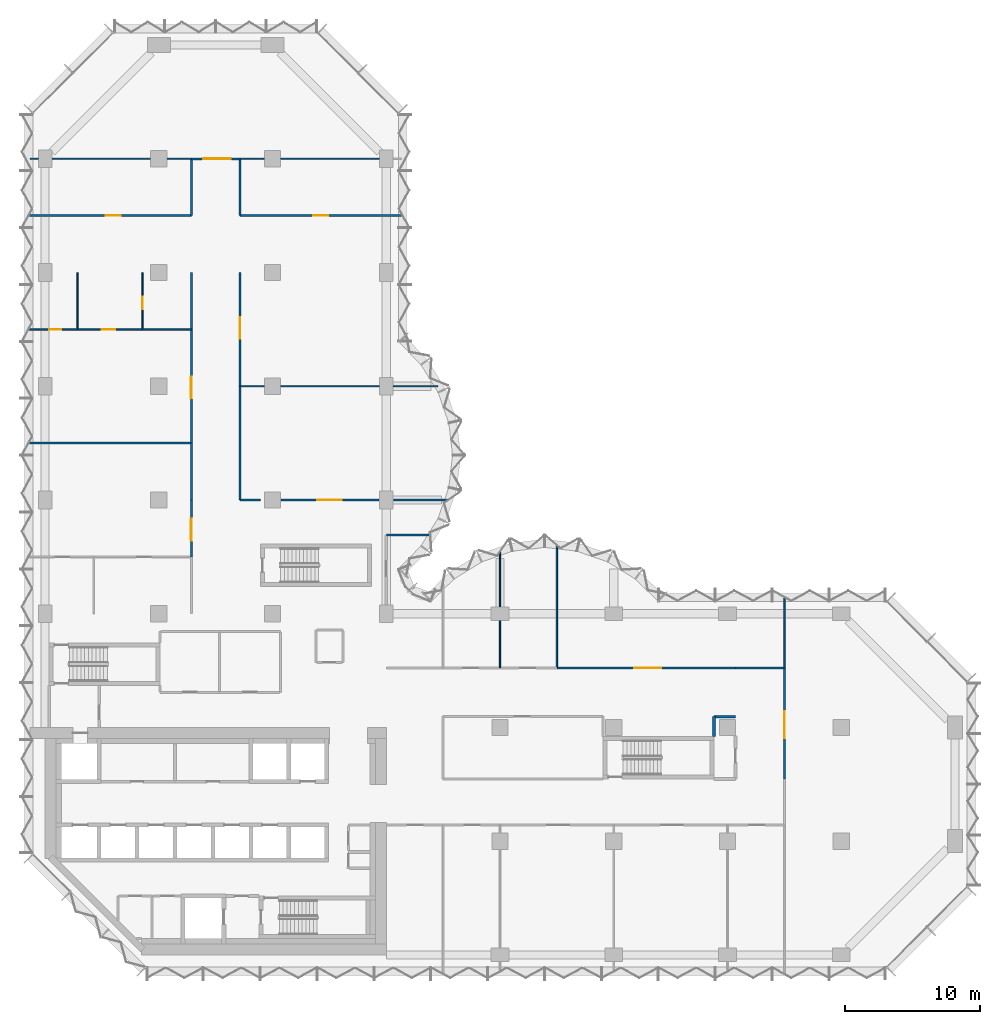
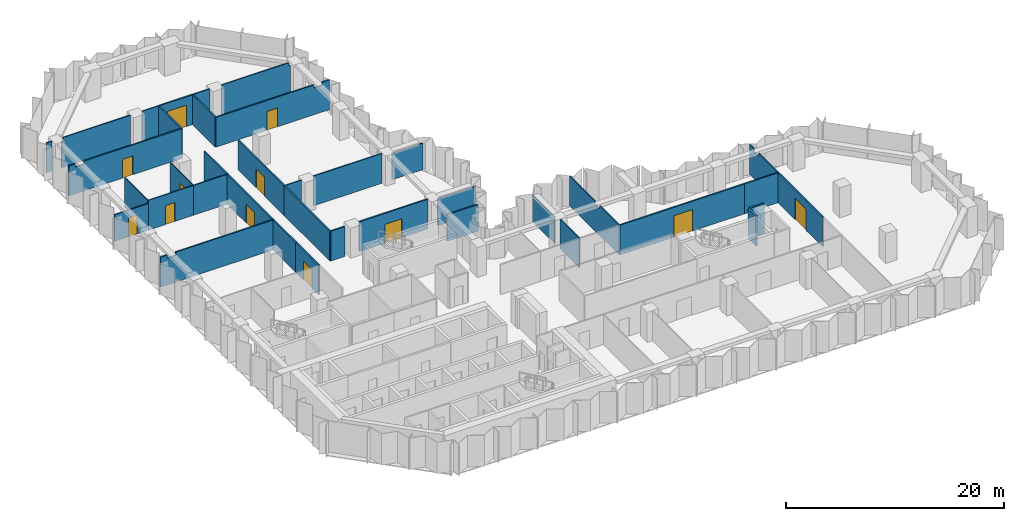
# One storey, part 10 of 13: 38 walls, 12 doors, 12 openings.
"""IFC4 building model written with IfcOpenShell, lengths in metres."""

from ifc_helpers import new_model, si_unit, direction, frame, frame_2d, origin, place, context, subcontext, project, spatial, polyline, rectangle, outline, extrude, material, layer, layer_set, type_object, element, fill, save


model = new_model("IFC4")

# Units and contexts
model_context = context("Model", 3, precision=1e-05, world=origin(), true_north=direction((0.0, 1.0)))
body_context = subcontext(model_context, "Body", "Model", "MODEL_VIEW")
ifc_project = project(units=[si_unit("LENGTHUNIT", "METRE"), si_unit("AREAUNIT", "SQUARE_METRE"), si_unit("VOLUMEUNIT", "CUBIC_METRE"), si_unit("PLANEANGLEUNIT", "RADIAN"), si_unit("MASSUNIT", "GRAM", prefix="KILO")], contexts=[model_context])

# Site, building, storey
site_placement = place(None, origin())
site = spatial("IfcSite", under=ifc_project, at=site_placement, CompositionType="ELEMENT")
building_placement = place(site_placement, origin())
building = spatial("IfcBuilding", under=site, at=building_placement, Name="Brevane Broadcast Tower", CompositionType="ELEMENT")
storey_placement = place(building_placement, frame((0.0, 0.0, 116.89990234375)))
storey = spatial("IfcBuildingStorey", under=building, at=storey_placement, Name="L28", CompositionType="ELEMENT", Elevation=116.89990234375)

# Walls
ifc_material_1 = material(Name="Gypsum board partition")
ifc_layer_1 = layer(ifc_material_1, 0.10009765625)
ifc_layer_set_1 = layer_set([ifc_layer_1], Name="PARTITION 100 STUD")
wall_type_1 = type_object("IfcWallType", Name="PARTITION 100 STUD", PredefinedType="PARTITIONING", material=ifc_layer_set_1)
wall_1_placement = place(storey_placement, frame((54.60009765625, 21.199951171875, 0.0), z_axis=(0.0, 0.0, 1.0), x_axis=(0.0, 1.0, 0.0)))
element("IfcWall", 1, at=wall_1_placement, inside=storey, type_object=wall_type_1, Name="Partition G08-016", PredefinedType="PARTITIONING", context=body_context, shape_type="SweptSolid", body=[
    extrude(outline(polyline([(0.0, 0.0), (5.174072265625, 0.0), (5.174072265625, 3.330078125), (5.10009765625, 3.330078125), (4.449951171875, 3.330078125), (4.447998046875, 2.97998046875), (3.552001953125, 2.97998046875), (3.550048828125, 3.330078125), (0.0, 3.330078125), (0.0, 0.0)])), frame((0.0, 0.050048828125, 0.0), z_axis=(0.0, -1.0, 0.0), x_axis=(1.0, 0.0, 0.0)), (0.0, 0.0, 1.0), 0.10009765625),
])
wall_2_placement = place(storey_placement, frame((33.60009765625, 29.761962890625, 0.0), z_axis=(0.0, 0.0, 1.0), x_axis=(0.0, -1.0, 0.0)))
element("IfcWall", 2, at=wall_2_placement, inside=storey, type_object=wall_type_1, Name="Partition G08-036", PredefinedType="PARTITIONING", context=body_context, shape_type="SweptSolid", body=[
    extrude(rectangle(XDim=4.0419921875, YDim=0.10009765625, at=frame_2d((2.02099609375, 0.0))), origin(), (0.0, 0.0, 1.0), 2.97998046875),
])
wall_3_placement = place(storey_placement, frame((33.60009765625, 24.679931640625, 0.0), z_axis=(0.0, 0.0, 1.0), x_axis=(0.0, -1.0, 0.0)))
element("IfcWall", 3, at=wall_3_placement, inside=storey, type_object=wall_type_1, Name="Partition G08-037", PredefinedType="PARTITIONING", context=body_context, shape_type="SweptSolid", body=[
    extrude(rectangle(XDim=3.47998046875, YDim=0.10009765625, at=frame_2d((1.739990234375, 0.0))), origin(), (0.0, 0.0, 1.0), 3.330078125),
])
wall_4_placement = place(storey_placement, frame((37.800048828125, 30.24267578125, 0.0), z_axis=(0.0, 0.0, 1.0), x_axis=(0.0, -1.0, 0.0)))
element("IfcWall", 4, at=wall_4_placement, inside=storey, type_object=wall_type_1, Name="Partition G08-038", PredefinedType="PARTITIONING", context=body_context, shape_type="SweptSolid", body=[
    extrude(outline(polyline([(0.0, 0.0), (9.042724609375, 0.0), (9.042724609375, 3.330078125), (5.49267578125, 3.330078125), (5.49072265625, 2.97998046875), (4.5947265625, 2.97998046875), (4.5927734375, 3.330078125), (0.0, 3.330078125), (0.0, 0.0)])), frame((0.0, 0.050048828125, 0.0), z_axis=(0.0, -1.0, 0.0), x_axis=(1.0, 0.0, 0.0)), (0.0, 0.0, 1.0), 0.10009765625),
])
wall_5_placement = place(storey_placement, frame((10.800048828125, 58.800048828125, 0.0), z_axis=(0.0, 0.0, 1.0), x_axis=(-1.0, 0.0, 0.0)))
element("IfcWall", 5, at=wall_5_placement, inside=storey, type_object=wall_type_1, Name="Partition G08-052", PredefinedType="PARTITIONING", context=body_context, shape_type="SweptSolid", body=[
    extrude(rectangle(XDim=1.780029296875, YDim=0.10009765625, at=frame_2d((0.89013671875, 0.0))), origin(), (0.0, 0.0, 1.0), 3.330078125),
])
wall_6_placement = place(storey_placement, frame((7.780029296875, 58.800048828125, 0.0), z_axis=(0.0, 0.0, 1.0), x_axis=(-1.0, 0.0, 0.0)))
element("IfcWall", 6, at=wall_6_placement, inside=storey, type_object=wall_type_1, Name="Partition G08-053", PredefinedType="PARTITIONING", context=body_context, shape_type="SweptSolid", body=[
    extrude(outline(polyline([(0.0, 0.0), (7.260009765625, 0.0), (7.260009765625, 2.97998046875), (7.1162109375, 2.97998046875), (7.1142578125, 3.330078125), (0.0, 3.330078125), (0.0, 0.0)])), frame((0.0, 0.050048828125, 0.0), z_axis=(0.0, -1.0, 0.0), x_axis=(1.0, 0.0, 0.0)), (0.0, 0.0, 1.0), 0.10009765625),
])
wall_7_placement = place(storey_placement, frame((-0.52001953125, 58.800048828125, 0.0), z_axis=(0.0, 0.0, 1.0), x_axis=(-1.0, 0.0, 0.0)))
element("IfcWall", 7, at=wall_7_placement, inside=storey, type_object=wall_type_1, Name="Partition G08-054", PredefinedType="PARTITIONING", context=body_context, shape_type="SweptSolid", body=[
    extrude(rectangle(XDim=0.580078125, YDim=0.10009765625, at=frame_2d((0.2900390625, 0.0))), origin(), (0.0, 0.0, 1.0), 3.330078125),
])
wall_8_placement = place(storey_placement, frame((24.679931640625, 58.800048828125, 0.0), z_axis=(0.0, 0.0, 1.0), x_axis=(-1.0, 0.0, 0.0)))
element("IfcWall", 8, at=wall_8_placement, inside=storey, type_object=wall_type_1, Name="Partition G08-056", PredefinedType="PARTITIONING", context=body_context, shape_type="SweptSolid", body=[
    extrude(outline(polyline([(0.0, 0.0), (7.260009765625, 0.0), (7.260009765625, 3.330078125), (0.145751953125, 3.330078125), (0.143798828125, 2.97998046875), (0.0, 2.97998046875), (0.0, 0.0)])), frame((0.0, 0.050048828125, 0.0), z_axis=(0.0, -1.0, 0.0), x_axis=(1.0, 0.0, 0.0)), (0.0, 0.0, 1.0), 0.10009765625),
])
wall_9_placement = place(storey_placement, frame((16.179931640625, 58.800048828125, 0.0), z_axis=(0.0, 0.0, 1.0), x_axis=(-1.0, 0.0, 0.0)))
element("IfcWall", 9, at=wall_9_placement, inside=storey, type_object=wall_type_1, Name="Partition G08-057", PredefinedType="PARTITIONING", context=body_context, shape_type="SweptSolid", body=[
    extrude(rectangle(XDim=1.780029296875, YDim=0.10009765625, at=frame_2d((0.89013671875, 0.0))), origin(), (0.0, 0.0, 1.0), 3.330078125),
])

# Wall, opening, door
wall_10_placement = place(storey_placement, frame((-1.174072265625, 46.199951171875, 0.0), z_axis=(0.0, 0.0, 1.0), x_axis=(1.0, 0.0, 0.0)))
wall_10 = element("IfcWall", 10, at=wall_10_placement, inside=storey, type_object=wall_type_1, Name="Partition G08-063", PredefinedType="PARTITIONING", context=body_context, shape_type="SweptSolid", body=[
    extrude(rectangle(XDim=3.573974609375, YDim=0.10009765625, at=frame_2d((1.787109375, 0.0))), origin(), (0.0, 0.0, 1.0), 2.97998046875),
])
opening_1_placement = place(wall_10_placement, frame((1.47412109375, 0.0, 0.0)))
opening_1 = element("IfcOpeningElement", 11, at=opening_1_placement, cuts=wall_10, Name="Opening D15-018", PredefinedType="OPENING", context=body_context, shape_type="SweptSolid", body=[
    extrude(rectangle(XDim=0.89990234375, YDim=2.10009765625, at=frame_2d((0.449951171875, 1.050048828125))), frame((0.0, 0.06005859375, 0.0), z_axis=(0.0, -1.0, 0.0), x_axis=(1.0, 0.0, 0.0)), (0.0, 0.0, 1.0), 0.1201171875),
])
ifc_material_2 = material(Name="Timber door leaf", Category="wood")
door_type_1 = type_object("IfcDoorType", Name="DOOR SINGLE 900 INTERNAL", OperationType="SINGLE_SWING_LEFT", PredefinedType="DOOR", material=ifc_material_2)
door_1_placement = place(opening_1_placement, origin())
door_1 = element("IfcDoor", 12, at=door_1_placement, inside=storey, type_object=door_type_1, Name="Door D15-018", OperationType="SINGLE_SWING_LEFT", OverallHeight=2.10009765625, OverallWidth=0.89990234375, PredefinedType="DOOR", context=body_context, shape_type="SweptSolid", body=[
    extrude(rectangle(XDim=0.89990234375, YDim=2.10009765625, at=frame_2d((0.449951171875, 1.050048828125))), frame((0.0, 0.02490234375, 0.0), z_axis=(0.0, -1.0, 0.0), x_axis=(1.0, 0.0, 0.0)), (0.0, 0.0, 1.0), 0.050048828125),
])
fill(opening_1, door_1)

wall_11_placement = place(storey_placement, frame((2.39990234375, 46.199951171875, 0.0), z_axis=(0.0, 0.0, 1.0), x_axis=(1.0, 0.0, 0.0)))
wall_11 = element("IfcWall", 13, at=wall_11_placement, inside=storey, type_object=wall_type_1, Name="Partition G08-064", PredefinedType="PARTITIONING", context=body_context, shape_type="SweptSolid", body=[
    extrude(rectangle(XDim=4.800048828125, YDim=0.10009765625, at=frame_2d((2.39990234375, 0.0))), origin(), (0.0, 0.0, 1.0), 3.330078125),
])
opening_2_placement = place(wall_11_placement, frame((1.800048828125, 0.0, 0.0)))
opening_2 = element("IfcOpeningElement", 14, at=opening_2_placement, cuts=wall_11, Name="Opening D15-019", PredefinedType="OPENING", context=body_context, shape_type="SweptSolid", body=[
    extrude(rectangle(XDim=1.0, YDim=2.10009765625, at=frame_2d((0.5, 1.050048828125))), frame((0.0, 0.06005859375, 0.0), z_axis=(0.0, -1.0, 0.0), x_axis=(1.0, 0.0, 0.0)), (0.0, 0.0, 1.0), 0.1201171875),
])
door_type_2 = type_object("IfcDoorType", Name="DOOR SINGLE 1000 INTERNAL", OperationType="SINGLE_SWING_LEFT", PredefinedType="DOOR", material=ifc_material_2)
door_2_placement = place(opening_2_placement, origin())
door_2 = element("IfcDoor", 15, at=door_2_placement, inside=storey, type_object=door_type_2, Name="Door D15-019", OperationType="SINGLE_SWING_LEFT", OverallHeight=2.10009765625, OverallWidth=1.0, PredefinedType="DOOR", context=body_context, shape_type="SweptSolid", body=[
    extrude(rectangle(XDim=1.0, YDim=2.10009765625, at=frame_2d((0.5, 1.050048828125))), frame((0.0, 0.02490234375, 0.0), z_axis=(0.0, -1.0, 0.0), x_axis=(1.0, 0.0, 0.0)), (0.0, 0.0, 1.0), 0.050048828125),
])
fill(opening_2, door_2)

# Walls
wall_12_placement = place(storey_placement, frame((7.199951171875, 46.199951171875, 0.0), z_axis=(0.0, 0.0, 1.0), x_axis=(1.0, 0.0, 0.0)))
element("IfcWall", 16, at=wall_12_placement, inside=storey, type_object=wall_type_1, Name="Partition G08-065", PredefinedType="PARTITIONING", context=body_context, shape_type="SweptSolid", body=[
    extrude(rectangle(XDim=3.60009765625, YDim=0.10009765625, at=frame_2d((1.800048828125, 0.0))), origin(), (0.0, 0.0, 1.0), 3.330078125),
])
wall_13_placement = place(storey_placement, frame((2.39990234375, 50.39990234375, 0.0), z_axis=(0.0, 0.0, 1.0), x_axis=(0.0, -1.0, 0.0)))
element("IfcWall", 17, at=wall_13_placement, inside=storey, type_object=wall_type_1, Name="Partition G08-066", PredefinedType="PARTITIONING", context=body_context, shape_type="SweptSolid", body=[
    extrude(rectangle(XDim=4.199951171875, YDim=0.10009765625, at=frame_2d((2.10009765625, 0.0))), origin(), (0.0, 0.0, 1.0), 3.330078125),
])

# Wall, opening, door
wall_14_placement = place(storey_placement, frame((7.199951171875, 50.39990234375, 0.0), z_axis=(0.0, 0.0, 1.0), x_axis=(0.0, -1.0, 0.0)))
wall_14 = element("IfcWall", 18, at=wall_14_placement, inside=storey, type_object=wall_type_1, Name="Partition G08-067", PredefinedType="PARTITIONING", context=body_context, shape_type="SweptSolid", body=[
    extrude(rectangle(XDim=4.199951171875, YDim=0.10009765625, at=frame_2d((2.10009765625, 0.0))), origin(), (0.0, 0.0, 1.0), 3.330078125),
])
opening_3_placement = place(wall_14_placement, frame((1.800048828125, 0.0, 0.0)))
opening_3 = element("IfcOpeningElement", 19, at=opening_3_placement, cuts=wall_14, Name="Opening D15-020", PredefinedType="OPENING", context=body_context, shape_type="SweptSolid", body=[
    extrude(rectangle(XDim=0.89990234375, YDim=2.10009765625, at=frame_2d((0.449951171875, 1.050048828125))), frame((0.0, 0.06005859375, 0.0), z_axis=(0.0, -1.0, 0.0), x_axis=(1.0, 0.0, 0.0)), (0.0, 0.0, 1.0), 0.1201171875),
])
door_3_placement = place(opening_3_placement, origin())
door_3 = element("IfcDoor", 20, at=door_3_placement, inside=storey, type_object=door_type_1, Name="Door D15-020", OperationType="SINGLE_SWING_LEFT", OverallHeight=2.10009765625, OverallWidth=0.89990234375, PredefinedType="DOOR", context=body_context, shape_type="SweptSolid", body=[
    extrude(rectangle(XDim=0.89990234375, YDim=2.10009765625, at=frame_2d((0.449951171875, 1.050048828125))), frame((0.0, 0.02490234375, 0.0), z_axis=(0.0, -1.0, 0.0), x_axis=(1.0, 0.0, 0.0)), (0.0, 0.0, 1.0), 0.050048828125),
])
fill(opening_3, door_3)

# Walls
wall_15_placement = place(storey_placement, frame((14.39990234375, 42.0, 0.0), z_axis=(0.0, 0.0, 1.0), x_axis=(1.0, 0.0, 0.0)))
element("IfcWall", 21, at=wall_15_placement, inside=storey, type_object=wall_type_1, Name="Partition G08-069", PredefinedType="PARTITIONING", context=body_context, shape_type="SweptSolid", body=[
    extrude(rectangle(XDim=1.780029296875, YDim=0.10009765625, at=frame_2d((0.89013671875, 0.0))), origin(), (0.0, 0.0, 1.0), 3.330078125),
])
wall_16_placement = place(storey_placement, frame((17.419921875, 42.0, 0.0), z_axis=(0.0, 0.0, 1.0), x_axis=(1.0, 0.0, 0.0)))
element("IfcWall", 22, at=wall_16_placement, inside=storey, type_object=wall_type_1, Name="Partition G08-070", PredefinedType="PARTITIONING", context=body_context, shape_type="SweptSolid", body=[
    extrude(rectangle(XDim=7.260009765625, YDim=0.10009765625, at=frame_2d((3.6298828125, 0.0))), origin(), (0.0, 0.0, 1.0), 3.330078125),
])
wall_17_placement = place(storey_placement, frame((25.719970703125, 42.0, 0.0), z_axis=(0.0, 0.0, 1.0), x_axis=(1.0, 0.0, 0.0)))
element("IfcWall", 23, at=wall_17_placement, inside=storey, type_object=wall_type_1, Name="Partition G08-071", PredefinedType="PARTITIONING", context=body_context, shape_type="SweptSolid", body=[
    extrude(rectangle(XDim=3.29150390625, YDim=0.10009765625, at=frame_2d((1.645751953125, 0.0))), origin(), (0.0, 0.0, 1.0), 2.97998046875),
])
ifc_layer_2 = layer(ifc_material_1, 0.14990234375)
ifc_layer_set_2 = layer_set([ifc_layer_2], Name="PARTITION 150 EI 60")
wall_type_2 = type_object("IfcWallType", Name="PARTITION 150 EI 60", PredefinedType="PARTITIONING", material=ifc_layer_set_2)
wall_18_placement = place(storey_placement, frame((25.199951171875, 31.0, 0.0), z_axis=(0.0, 0.0, 1.0), x_axis=(1.0, 0.0, 0.0)))
element("IfcWall", 24, at=wall_18_placement, inside=storey, type_object=wall_type_2, Name="Partition G08-006", PredefinedType="PARTITIONING", context=body_context, shape_type="SweptSolid", body=[
    extrude(rectangle(XDim=3.32421875, YDim=0.14990234375, at=frame_2d((1.662109375, 0.0))), origin(), (0.0, 0.0, 1.0), 2.97998046875),
])

# Wall, opening, door
wall_19_placement = place(storey_placement, frame((54.60009765625, 21.199951171875, 0.0), z_axis=(0.0, 0.0, 1.0), x_axis=(0.0, -1.0, 0.0)))
wall_19 = element("IfcWall", 25, at=wall_19_placement, inside=storey, type_object=wall_type_2, Name="Partition G08-014", PredefinedType="PARTITIONING", context=body_context, shape_type="SweptSolid", body=[
    extrude(rectangle(XDim=8.199951171875, YDim=0.14990234375, at=frame_2d((4.10009765625, 0.0))), origin(), (0.0, 0.0, 1.0), 3.330078125),
])
opening_4_placement = place(wall_19_placement, frame((3.199951171875, 0.0, 0.0)))
opening_4 = element("IfcOpeningElement", 26, at=opening_4_placement, cuts=wall_19, Name="Opening D15-002", PredefinedType="OPENING", context=body_context, shape_type="SweptSolid", body=[
    extrude(rectangle(XDim=2.0, YDim=2.39990234375, at=frame_2d((1.0, 1.199951171875))), frame((0.0, 0.0849609375, 0.0), z_axis=(0.0, -1.0, 0.0), x_axis=(1.0, 0.0, 0.0)), (0.0, 0.0, 1.0), 0.169921875),
])
ifc_material_3 = material(Name="Fire-rated timber door leaf", Category="wood")
door_type_3 = type_object("IfcDoorType", Name="DOOR DOUBLE 2000 FD30S", OperationType="DOUBLE_DOOR_SINGLE_SWING", PredefinedType="DOOR", material=ifc_material_3)
door_4_placement = place(opening_4_placement, origin())
door_4 = element("IfcDoor", 27, at=door_4_placement, inside=storey, type_object=door_type_3, Name="Door D15-002", OperationType="DOUBLE_DOOR_SINGLE_SWING", OverallHeight=2.39990234375, OverallWidth=2.0, PredefinedType="DOOR", context=body_context, shape_type="SweptSolid", body=[
    extrude(rectangle(XDim=2.0, YDim=2.39990234375, at=frame_2d((1.0, 1.199951171875))), frame((0.0, 0.02490234375, 0.0), z_axis=(0.0, -1.0, 0.0), x_axis=(1.0, 0.0, 0.0)), (0.0, 0.0, 1.0), 0.050048828125),
])
fill(opening_4, door_4)

wall_20_placement = place(storey_placement, frame((37.800048828125, 21.199951171875, 0.0), z_axis=(0.0, 0.0, 1.0), x_axis=(1.0, 0.0, 0.0)))
wall_20 = element("IfcWall", 28, at=wall_20_placement, inside=storey, type_object=wall_type_2, Name="Partition G08-023", PredefinedType="PARTITIONING", context=body_context, shape_type="SweptSolid", body=[
    extrude(rectangle(XDim=13.199951171875, YDim=0.14990234375, at=frame_2d((6.60009765625, 0.0))), origin(), (0.0, 0.0, 1.0), 3.330078125),
])
opening_5_placement = place(wall_20_placement, frame((5.699951171875, 0.0, 0.0)))
opening_5 = element("IfcOpeningElement", 29, at=opening_5_placement, cuts=wall_20, Name="Opening D15-012", PredefinedType="OPENING", context=body_context, shape_type="SweptSolid", body=[
    extrude(rectangle(XDim=2.0, YDim=2.39990234375, at=frame_2d((1.0, 1.199951171875))), frame((0.0, 0.0849609375, 0.0), z_axis=(0.0, -1.0, 0.0), x_axis=(1.0, 0.0, 0.0)), (0.0, 0.0, 1.0), 0.169921875),
])
door_5_placement = place(opening_5_placement, origin())
door_5 = element("IfcDoor", 30, at=door_5_placement, inside=storey, type_object=door_type_3, Name="Door D15-012", OperationType="DOUBLE_DOOR_SINGLE_SWING", OverallHeight=2.39990234375, OverallWidth=2.0, PredefinedType="DOOR", context=body_context, shape_type="SweptSolid", body=[
    extrude(rectangle(XDim=2.0, YDim=2.39990234375, at=frame_2d((1.0, 1.199951171875))), frame((0.0, 0.02490234375, 0.0), z_axis=(0.0, -1.0, 0.0), x_axis=(1.0, 0.0, 0.0)), (0.0, 0.0, 1.0), 0.050048828125),
])
fill(opening_5, door_5)

# Wall
wall_21_placement = place(storey_placement, frame((51.0, 21.199951171875, 0.0), z_axis=(0.0, 0.0, 1.0), x_axis=(1.0, 0.0, 0.0)))
element("IfcWall", 31, at=wall_21_placement, inside=storey, type_object=wall_type_2, Name="Partition G08-025", PredefinedType="PARTITIONING", context=body_context, shape_type="SweptSolid", body=[
    extrude(rectangle(XDim=3.60009765625, YDim=0.14990234375, at=frame_2d((1.800048828125, 0.0))), origin(), (0.0, 0.0, 1.0), 3.330078125),
])

# Wall, opening, door
wall_22_placement = place(storey_placement, frame((10.800048828125, 29.39990234375, 0.0), z_axis=(0.0, 0.0, 1.0), x_axis=(0.0, 1.0, 0.0)))
wall_22 = element("IfcWall", 32, at=wall_22_placement, inside=storey, type_object=wall_type_2, Name="Partition G08-039", PredefinedType="PARTITIONING", context=body_context, shape_type="SweptSolid", body=[
    extrude(rectangle(XDim=4.2001953125, YDim=0.14990234375, at=frame_2d((2.10009765625, 0.0))), origin(), (0.0, 0.0, 1.0), 3.330078125),
])
opening_6_placement = place(wall_22_placement, frame((1.199951171875, 0.0, 0.0)))
opening_6 = element("IfcOpeningElement", 33, at=opening_6_placement, cuts=wall_22, Name="Opening D15-014", PredefinedType="OPENING", context=body_context, shape_type="SweptSolid", body=[
    extrude(rectangle(XDim=1.60009765625, YDim=2.10009765625, at=frame_2d((0.800048828125, 1.050048828125))), frame((0.0, 0.0849609375, 0.0), z_axis=(0.0, -1.0, 0.0), x_axis=(1.0, 0.0, 0.0)), (0.0, 0.0, 1.0), 0.169921875),
])
door_type_4 = type_object("IfcDoorType", Name="DOOR DOUBLE 1600 FD30S", OperationType="DOUBLE_DOOR_SINGLE_SWING", PredefinedType="DOOR", material=ifc_material_3)
door_6_placement = place(opening_6_placement, origin())
door_6 = element("IfcDoor", 34, at=door_6_placement, inside=storey, type_object=door_type_4, Name="Door D15-014", OperationType="DOUBLE_DOOR_SINGLE_SWING", OverallHeight=2.10009765625, OverallWidth=1.60009765625, PredefinedType="DOOR", context=body_context, shape_type="SweptSolid", body=[
    extrude(rectangle(XDim=1.60009765625, YDim=2.10009765625, at=frame_2d((0.800048828125, 1.050048828125))), frame((0.0, 0.02490234375, 0.0), z_axis=(0.0, -1.0, 0.0), x_axis=(1.0, 0.0, 0.0)), (0.0, 0.0, 1.0), 0.050048828125),
])
fill(opening_6, door_6)

# Wall
wall_23_placement = place(storey_placement, frame((14.39990234375, 33.60009765625, 0.0), z_axis=(0.0, 0.0, 1.0), x_axis=(1.0, 0.0, 0.0)))
element("IfcWall", 35, at=wall_23_placement, inside=storey, type_object=wall_type_2, Name="Partition G08-041", PredefinedType="PARTITIONING", context=body_context, shape_type="SweptSolid", body=[
    extrude(rectangle(XDim=1.5, YDim=0.14990234375, at=frame_2d((0.75, 0.0))), origin(), (0.0, 0.0, 1.0), 3.330078125),
])

# Wall, opening, door
wall_24_placement = place(storey_placement, frame((17.419921875, 33.60009765625, 0.0), z_axis=(0.0, 0.0, 1.0), x_axis=(1.0, 0.0, 0.0)))
wall_24 = element("IfcWall", 36, at=wall_24_placement, inside=storey, type_object=wall_type_2, Name="Partition G08-042", PredefinedType="PARTITIONING", context=body_context, shape_type="SweptSolid", body=[
    extrude(rectangle(XDim=7.260009765625, YDim=0.14990234375, at=frame_2d((3.6298828125, 0.0))), origin(), (0.0, 0.0, 1.0), 3.330078125),
])
opening_7_placement = place(wall_24_placement, frame((2.699951171875, 0.0, 0.0)))
opening_7 = element("IfcOpeningElement", 37, at=opening_7_placement, cuts=wall_24, Name="Opening D15-022", PredefinedType="OPENING", context=body_context, shape_type="SweptSolid", body=[
    extrude(rectangle(XDim=1.800048828125, YDim=2.10009765625, at=frame_2d((0.89990234375, 1.050048828125))), frame((0.0, 0.0849609375, 0.0), z_axis=(0.0, -1.0, 0.0), x_axis=(1.0, 0.0, 0.0)), (0.0, 0.0, 1.0), 0.169921875),
])
door_type_5 = type_object("IfcDoorType", Name="DOOR DOUBLE 1800 FD30S", OperationType="DOUBLE_DOOR_SINGLE_SWING", PredefinedType="DOOR", material=ifc_material_3)
door_7_placement = place(opening_7_placement, origin())
door_7 = element("IfcDoor", 38, at=door_7_placement, inside=storey, type_object=door_type_5, Name="Door D15-022", OperationType="DOUBLE_DOOR_SINGLE_SWING", OverallHeight=2.10009765625, OverallWidth=1.800048828125, PredefinedType="DOOR", context=body_context, shape_type="SweptSolid", body=[
    extrude(rectangle(XDim=1.800048828125, YDim=2.10009765625, at=frame_2d((0.89990234375, 1.050048828125))), frame((0.0, 0.02490234375, 0.0), z_axis=(0.0, -1.0, 0.0), x_axis=(1.0, 0.0, 0.0)), (0.0, 0.0, 1.0), 0.050048828125),
])
fill(opening_7, door_7)

# Wall
wall_25_placement = place(storey_placement, frame((25.719970703125, 33.60009765625, 0.0), z_axis=(0.0, 0.0, 1.0), x_axis=(1.0, 0.0, 0.0)))
element("IfcWall", 39, at=wall_25_placement, inside=storey, type_object=wall_type_2, Name="Partition G08-043", PredefinedType="PARTITIONING", context=body_context, shape_type="SweptSolid", body=[
    extrude(rectangle(XDim=4.0419921875, YDim=0.14990234375, at=frame_2d((2.02099609375, 0.0))), origin(), (0.0, 0.0, 1.0), 2.97998046875),
])

# Wall, opening, door
wall_26_placement = place(storey_placement, frame((10.800048828125, 58.800048828125, 0.0), z_axis=(0.0, 0.0, 1.0), x_axis=(1.0, 0.0, 0.0)))
wall_26 = element("IfcWall", 40, at=wall_26_placement, inside=storey, type_object=wall_type_2, Name="Partition G08-044", PredefinedType="PARTITIONING", context=body_context, shape_type="SweptSolid", body=[
    extrude(rectangle(XDim=3.599853515625, YDim=0.14990234375, at=frame_2d((1.7998046875, 0.0))), origin(), (0.0, 0.0, 1.0), 3.330078125),
])
opening_8_placement = place(wall_26_placement, frame((0.89990234375, 0.0, 0.0)))
opening_8 = element("IfcOpeningElement", 41, at=opening_8_placement, cuts=wall_26, Name="Opening D15-013", PredefinedType="OPENING", context=body_context, shape_type="SweptSolid", body=[
    extrude(rectangle(XDim=2.0, YDim=2.39990234375, at=frame_2d((1.0, 1.199951171875))), frame((0.0, 0.0849609375, 0.0), z_axis=(0.0, -1.0, 0.0), x_axis=(1.0, 0.0, 0.0)), (0.0, 0.0, 1.0), 0.169921875),
])
door_8_placement = place(opening_8_placement, origin())
door_8 = element("IfcDoor", 42, at=door_8_placement, inside=storey, type_object=door_type_3, Name="Door D15-013", OperationType="DOUBLE_DOOR_SINGLE_SWING", OverallHeight=2.39990234375, OverallWidth=2.0, PredefinedType="DOOR", context=body_context, shape_type="SweptSolid", body=[
    extrude(rectangle(XDim=2.0, YDim=2.39990234375, at=frame_2d((1.0, 1.199951171875))), frame((0.0, 0.02490234375, 0.0), z_axis=(0.0, -1.0, 0.0), x_axis=(1.0, 0.0, 0.0)), (0.0, 0.0, 1.0), 0.050048828125),
])
fill(opening_8, door_8)

# Wall
wall_27_placement = place(storey_placement, frame((10.800048828125, 33.60009765625, 0.0), z_axis=(0.0, 0.0, 1.0), x_axis=(0.0, 1.0, 0.0)))
element("IfcWall", 43, at=wall_27_placement, inside=storey, type_object=wall_type_2, Name="Partition G08-045", PredefinedType="PARTITIONING", context=body_context, shape_type="SweptSolid", body=[
    extrude(rectangle(XDim=4.199951171875, YDim=0.14990234375, at=frame_2d((2.10009765625, 0.0))), origin(), (0.0, 0.0, 1.0), 3.330078125),
])

# Wall, opening, door
wall_28_placement = place(storey_placement, frame((10.800048828125, 37.800048828125, 0.0), z_axis=(0.0, 0.0, 1.0), x_axis=(0.0, 1.0, 0.0)))
wall_28 = element("IfcWall", 44, at=wall_28_placement, inside=storey, type_object=wall_type_2, Name="Partition G08-046", PredefinedType="PARTITIONING", context=body_context, shape_type="SweptSolid", body=[
    extrude(rectangle(XDim=8.39990234375, YDim=0.14990234375, at=frame_2d((4.199951171875, 0.0))), origin(), (0.0, 0.0, 1.0), 3.330078125),
])
opening_9_placement = place(wall_28_placement, frame((3.300048828125, 0.0, 0.0)))
opening_9 = element("IfcOpeningElement", 45, at=opening_9_placement, cuts=wall_28, Name="Opening D15-017", PredefinedType="OPENING", context=body_context, shape_type="SweptSolid", body=[
    extrude(rectangle(XDim=1.60009765625, YDim=2.10009765625, at=frame_2d((0.800048828125, 1.050048828125))), frame((0.0, 0.0849609375, 0.0), z_axis=(0.0, -1.0, 0.0), x_axis=(1.0, 0.0, 0.0)), (0.0, 0.0, 1.0), 0.169921875),
])
door_9_placement = place(opening_9_placement, origin())
door_9 = element("IfcDoor", 46, at=door_9_placement, inside=storey, type_object=door_type_4, Name="Door D15-017", OperationType="DOUBLE_DOOR_SINGLE_SWING", OverallHeight=2.10009765625, OverallWidth=1.60009765625, PredefinedType="DOOR", context=body_context, shape_type="SweptSolid", body=[
    extrude(rectangle(XDim=1.60009765625, YDim=2.10009765625, at=frame_2d((0.800048828125, 1.050048828125))), frame((0.0, 0.02490234375, 0.0), z_axis=(0.0, -1.0, 0.0), x_axis=(1.0, 0.0, 0.0)), (0.0, 0.0, 1.0), 0.050048828125),
])
fill(opening_9, door_9)

# Walls
for number, where, z_axis, x_axis, name in (
    (47, (10.800048828125, 46.199951171875, 0.0), (0.0, 0.0, 1.0), (0.0, 1.0, 0.0), "Partition G08-047"),
    (48, (10.800048828125, 54.60009765625, 0.0), (0.0, 0.0, 1.0), (0.0, 1.0, 0.0), "Partition G08-048"),
):
    element("IfcWall", number, at=place(storey_placement, frame(where, z_axis=z_axis, x_axis=x_axis)), inside=storey, type_object=wall_type_2, Name=name, PredefinedType="PARTITIONING", context=body_context, shape_type="SweptSolid", body=[
        extrude(rectangle(XDim=4.199951171875, YDim=0.14990234375, at=frame_2d((2.10009765625, 0.0))), origin(), (0.0, 0.0, 1.0), 3.330078125),
    ])
wall_29_placement = place(storey_placement, frame((14.39990234375, 42.0, 0.0), z_axis=(0.0, 0.0, 1.0), x_axis=(0.0, -1.0, 0.0)))
element("IfcWall", 49, at=wall_29_placement, inside=storey, type_object=wall_type_2, Name="Partition G08-049", PredefinedType="PARTITIONING", context=body_context, shape_type="SweptSolid", body=[
    extrude(rectangle(XDim=8.39990234375, YDim=0.14990234375, at=frame_2d((4.199951171875, 0.0))), origin(), (0.0, 0.0, 1.0), 3.330078125),
])

# Wall, opening, door
wall_30_placement = place(storey_placement, frame((14.39990234375, 50.39990234375, 0.0), z_axis=(0.0, 0.0, 1.0), x_axis=(0.0, -1.0, 0.0)))
wall_30 = element("IfcWall", 50, at=wall_30_placement, inside=storey, type_object=wall_type_2, Name="Partition G08-050", PredefinedType="PARTITIONING", context=body_context, shape_type="SweptSolid", body=[
    extrude(rectangle(XDim=8.39990234375, YDim=0.14990234375, at=frame_2d((4.199951171875, 0.0))), origin(), (0.0, 0.0, 1.0), 3.330078125),
])
opening_10_placement = place(wall_30_placement, frame((3.300048828125, 0.0, 0.0)))
opening_10 = element("IfcOpeningElement", 51, at=opening_10_placement, cuts=wall_30, Name="Opening D15-023", PredefinedType="OPENING", context=body_context, shape_type="SweptSolid", body=[
    extrude(rectangle(XDim=1.60009765625, YDim=2.10009765625, at=frame_2d((0.800048828125, 1.050048828125))), frame((0.0, 0.0849609375, 0.0), z_axis=(0.0, -1.0, 0.0), x_axis=(1.0, 0.0, 0.0)), (0.0, 0.0, 1.0), 0.169921875),
])
door_10_placement = place(opening_10_placement, origin())
door_10 = element("IfcDoor", 52, at=door_10_placement, inside=storey, type_object=door_type_4, Name="Door D15-023", OperationType="DOUBLE_DOOR_SINGLE_SWING", OverallHeight=2.10009765625, OverallWidth=1.60009765625, PredefinedType="DOOR", context=body_context, shape_type="SweptSolid", body=[
    extrude(rectangle(XDim=1.60009765625, YDim=2.10009765625, at=frame_2d((0.800048828125, 1.050048828125))), frame((0.0, 0.02490234375, 0.0), z_axis=(0.0, -1.0, 0.0), x_axis=(1.0, 0.0, 0.0)), (0.0, 0.0, 1.0), 0.050048828125),
])
fill(opening_10, door_10)

# Wall
wall_31_placement = place(storey_placement, frame((14.39990234375, 58.800048828125, 0.0), z_axis=(0.0, 0.0, 1.0), x_axis=(0.0, -1.0, 0.0)))
element("IfcWall", 53, at=wall_31_placement, inside=storey, type_object=wall_type_2, Name="Partition G08-051", PredefinedType="PARTITIONING", context=body_context, shape_type="SweptSolid", body=[
    extrude(rectangle(XDim=4.199951171875, YDim=0.14990234375, at=frame_2d((2.10009765625, 0.0))), origin(), (0.0, 0.0, 1.0), 3.330078125),
])

# Wall, opening, door
wall_32_placement = place(storey_placement, frame((-1.174072265625, 54.60009765625, 0.0), z_axis=(0.0, 0.0, 1.0), x_axis=(1.0, 0.0, 0.0)))
wall_32 = element("IfcWall", 54, at=wall_32_placement, inside=storey, type_object=wall_type_2, Name="Partition G08-058", PredefinedType="PARTITIONING", context=body_context, shape_type="SweptSolid", body=[
    extrude(outline(polyline([(0.0, 0.0), (11.97412109375, 0.0), (11.97412109375, 3.330078125), (1.6240234375, 3.330078125), (1.6220703125, 2.97998046875), (0.72607421875, 2.97998046875), (0.72412109375, 3.330078125), (0.073974609375, 3.330078125), (0.0, 3.330078125), (0.0, 0.0)])), frame((0.0, 0.074951171875, 0.0), z_axis=(0.0, -1.0, 0.0), x_axis=(1.0, 0.0, 0.0)), (0.0, 0.0, 1.0), 0.14990234375),
])
opening_11_placement = place(wall_32_placement, frame((5.674072265625, 0.0, 0.0)))
opening_11 = element("IfcOpeningElement", 55, at=opening_11_placement, cuts=wall_32, Name="Opening D15-021", PredefinedType="OPENING", context=body_context, shape_type="SweptSolid", body=[
    extrude(rectangle(XDim=1.10009765625, YDim=2.10009765625, at=frame_2d((0.550048828125, 1.050048828125))), frame((0.0, 0.0849609375, 0.0), z_axis=(0.0, -1.0, 0.0), x_axis=(1.0, 0.0, 0.0)), (0.0, 0.0, 1.0), 0.169921875),
])
door_type_6 = type_object("IfcDoorType", Name="DOOR SINGLE 1100 FD30S", OperationType="SINGLE_SWING_LEFT", PredefinedType="DOOR", material=ifc_material_3)
door_11_placement = place(opening_11_placement, origin())
door_11 = element("IfcDoor", 56, at=door_11_placement, inside=storey, type_object=door_type_6, Name="Door D15-021", OperationType="SINGLE_SWING_LEFT", OverallHeight=2.10009765625, OverallWidth=1.10009765625, PredefinedType="DOOR", context=body_context, shape_type="SweptSolid", body=[
    extrude(rectangle(XDim=1.10009765625, YDim=2.10009765625, at=frame_2d((0.550048828125, 1.050048828125))), frame((0.0, 0.02490234375, 0.0), z_axis=(0.0, -1.0, 0.0), x_axis=(1.0, 0.0, 0.0)), (0.0, 0.0, 1.0), 0.050048828125),
])
fill(opening_11, door_11)

# Wall
wall_33_placement = place(storey_placement, frame((-1.174072265625, 37.800048828125, 0.0), z_axis=(0.0, 0.0, 1.0), x_axis=(1.0, 0.0, 0.0)))
element("IfcWall", 57, at=wall_33_placement, inside=storey, type_object=wall_type_2, Name="Partition G08-061", PredefinedType="PARTITIONING", context=body_context, shape_type="SweptSolid", body=[
    extrude(outline(polyline([(0.0, 0.0), (11.97412109375, 0.0), (11.97412109375, 3.330078125), (1.6240234375, 3.330078125), (1.6220703125, 2.97998046875), (0.72607421875, 2.97998046875), (0.72412109375, 3.330078125), (0.073974609375, 3.330078125), (0.0, 3.330078125), (0.0, 0.0)])), frame((0.0, 0.074951171875, 0.0), z_axis=(0.0, -1.0, 0.0), x_axis=(1.0, 0.0, 0.0)), (0.0, 0.0, 1.0), 0.14990234375),
])

# Wall, opening, door
wall_34_placement = place(storey_placement, frame((14.39990234375, 54.60009765625, 0.0), z_axis=(0.0, 0.0, 1.0), x_axis=(1.0, 0.0, 0.0)))
wall_34 = element("IfcWall", 58, at=wall_34_placement, inside=storey, type_object=wall_type_2, Name="Partition G08-068", PredefinedType="PARTITIONING", context=body_context, shape_type="SweptSolid", body=[
    extrude(outline(polyline([(0.0, 0.0), (11.97412109375, 0.0), (11.97412109375, 3.330078125), (11.89990234375, 3.330078125), (11.25, 3.330078125), (11.248046875, 2.97998046875), (10.35205078125, 2.97998046875), (10.35009765625, 3.330078125), (0.0, 3.330078125), (0.0, 0.0)])), frame((0.0, 0.074951171875, 0.0), z_axis=(0.0, -1.0, 0.0), x_axis=(1.0, 0.0, 0.0)), (0.0, 0.0, 1.0), 0.14990234375),
])
opening_12_placement = place(wall_34_placement, frame((5.39990234375, 0.0, 0.0)))
opening_12 = element("IfcOpeningElement", 59, at=opening_12_placement, cuts=wall_34, Name="Opening D15-024", PredefinedType="OPENING", context=body_context, shape_type="SweptSolid", body=[
    extrude(rectangle(XDim=1.10009765625, YDim=2.10009765625, at=frame_2d((0.550048828125, 1.050048828125))), frame((0.0, 0.0849609375, 0.0), z_axis=(0.0, -1.0, 0.0), x_axis=(1.0, 0.0, 0.0)), (0.0, 0.0, 1.0), 0.169921875),
])
door_12_placement = place(opening_12_placement, origin())
door_12 = element("IfcDoor", 60, at=door_12_placement, inside=storey, type_object=door_type_6, Name="Door D15-024", OperationType="SINGLE_SWING_LEFT", OverallHeight=2.10009765625, OverallWidth=1.10009765625, PredefinedType="DOOR", context=body_context, shape_type="SweptSolid", body=[
    extrude(rectangle(XDim=1.10009765625, YDim=2.10009765625, at=frame_2d((0.550048828125, 1.050048828125))), frame((0.0, 0.02490234375, 0.0), z_axis=(0.0, -1.0, 0.0), x_axis=(1.0, 0.0, 0.0)), (0.0, 0.0, 1.0), 0.050048828125),
])
fill(opening_12, door_12)

# Walls
ifc_layer_3 = layer(ifc_material_1, 0.199951171875)
ifc_layer_set_3 = layer_set([ifc_layer_3], Name="PARTITION 200 EI 120")
wall_type_3 = type_object("IfcWallType", Name="PARTITION 200 EI 120", PredefinedType="PARTITIONING", material=ifc_layer_set_3)
wall_35_placement = place(storey_placement, frame((51.0, 17.60009765625, 0.0), z_axis=(0.0, 0.0, 1.0), x_axis=(-1.0, 0.0, 0.0)))
element("IfcWall", 61, at=wall_35_placement, inside=storey, type_object=wall_type_3, Name="Partition G08-019", PredefinedType="PARTITIONING", context=body_context, shape_type="SweptSolid", body=[
    extrude(rectangle(XDim=1.60009765625, YDim=0.199951171875, at=frame_2d((0.800048828125, 0.0))), origin(), (0.0, 0.0, 1.0), 3.330078125),
])
wall_36_placement = place(storey_placement, frame((49.39990234375, 17.60009765625, 0.0), z_axis=(0.0, 0.0, 1.0), x_axis=(0.0, -1.0, 0.0)))
element("IfcWall", 62, at=wall_36_placement, inside=storey, type_object=wall_type_3, Name="Partition G08-020", PredefinedType="PARTITIONING", context=body_context, shape_type="SweptSolid", body=[
    extrude(rectangle(XDim=1.4501953125, YDim=0.199951171875, at=frame_2d((0.72509765625, 0.0))), origin(), (0.0, 0.0, 1.0), 3.330078125),
])

save(model, "model.ifc")
